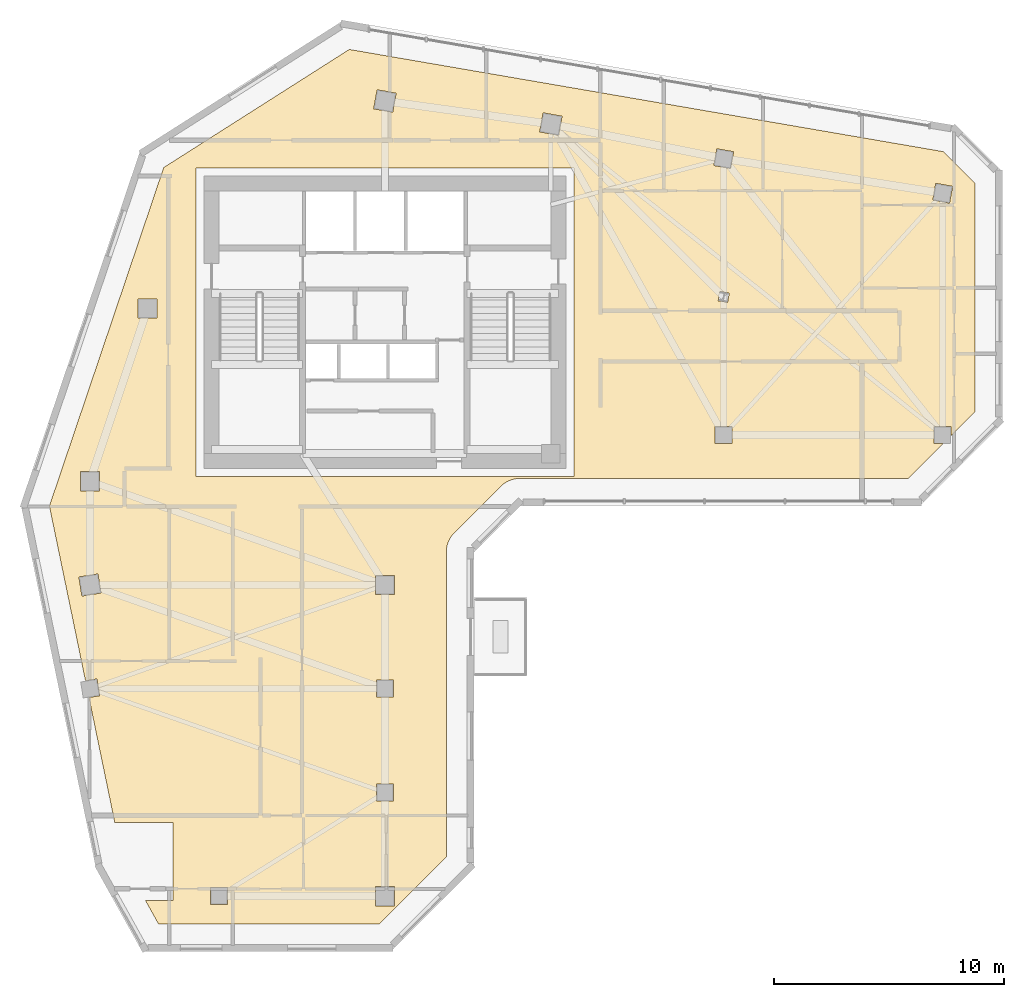
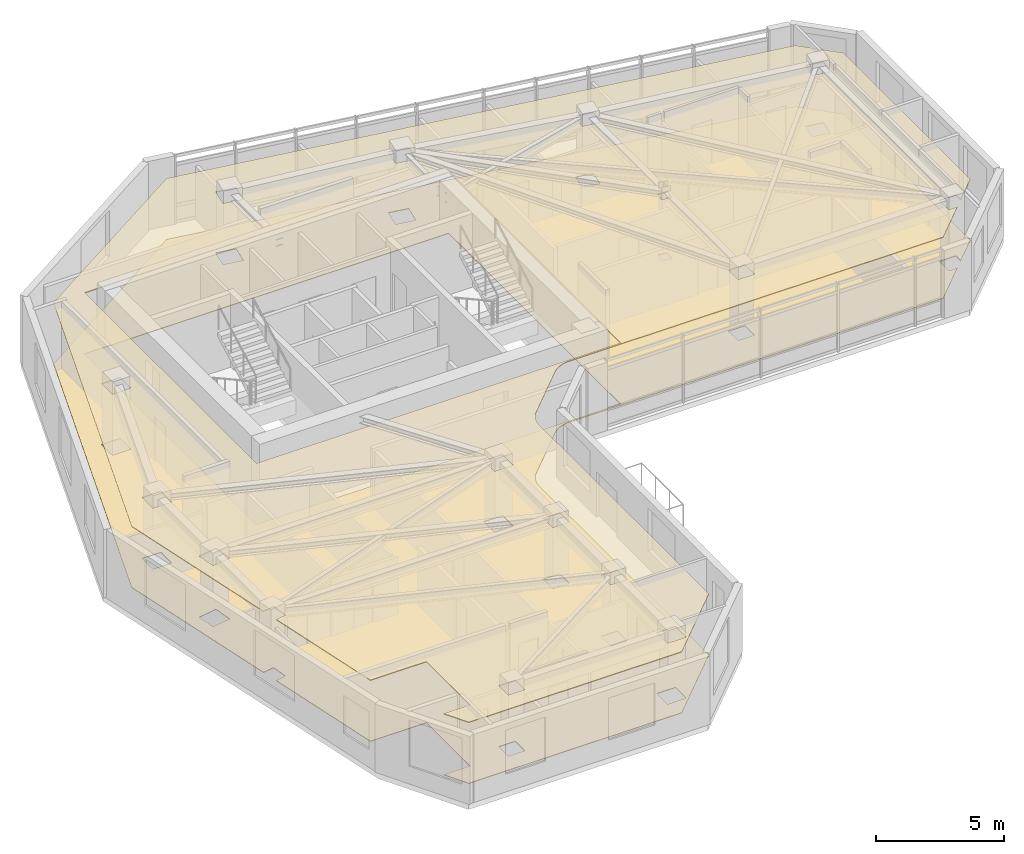
# One storey, part 9 of 10: 2 coverings.
"""IFC4 building model written with IfcOpenShell, lengths in metres."""

from ifc_helpers import new_model, si_unit, direction, frame, origin, place, context, subcontext, project, spatial, polyline, outline, extrude, material, layer, layer_set, type_object, element, save


model = new_model("IFC4")

# Units and contexts
model_context = context("Model", 3, precision=1e-05, world=origin(), true_north=direction((0.0, 1.0)))
body_context = subcontext(model_context, "Body", "Model", "MODEL_VIEW")
ifc_project = project(units=[si_unit("LENGTHUNIT", "METRE"), si_unit("AREAUNIT", "SQUARE_METRE"), si_unit("VOLUMEUNIT", "CUBIC_METRE"), si_unit("PLANEANGLEUNIT", "RADIAN"), si_unit("MASSUNIT", "GRAM", prefix="KILO")], contexts=[model_context])

# Site, building, storey
site_placement = place(None, origin())
site = spatial("IfcSite", under=ifc_project, at=site_placement, CompositionType="ELEMENT")
building_placement = place(site_placement, origin())
building = spatial("IfcBuilding", under=site, at=building_placement, Name="Calvemar Wedge Station Tower", CompositionType="ELEMENT")
storey_placement = place(building_placement, frame((0.0, 0.0, 197.39990234375)))
storey = spatial("IfcBuildingStorey", under=building, at=storey_placement, Name="L49", CompositionType="ELEMENT", Elevation=197.39990234375)

# Coverings
ifc_material_1 = material(Name="Acoustic mineral fibre ceiling board")
ifc_layer_1 = layer(ifc_material_1, 0.0400390625)
ifc_layer_set_1 = layer_set([ifc_layer_1], Name="Acoustic mineral fibre ceiling board")
covering_type_1 = type_object("IfcCoveringType", Name="COV-CEIL-ACOUSTIC", PredefinedType="CEILING", material=ifc_layer_set_1)
covering_1_placement = place(storey_placement, frame((0.0, 0.0, 2.900146484375)))
element("IfcCovering", 1, at=covering_1_placement, inside=storey, type_object=covering_type_1, Name="Storey L49 Acoustic Suspended Ceiling", PredefinedType="CEILING", context=body_context, shape_type="SweptSolid", body=[
    extrude(outline(polyline([(26.8154296875, 30.7724609375), (28.8154296875, 32.7724609375), (28.902587890625, 32.8515625), (28.997314453125, 32.921875), (29.098388671875, 32.982421875), (29.204833984375, 33.03271484375), (29.315673828125, 33.072265625), (29.429931640625, 33.100830078125), (29.54638671875, 33.1181640625), (29.6640625, 33.1240234375), (46.5029296875, 33.1240234375), (48.0087890625, 34.6298828125), (47.6298828125, 34.6298828125), (47.6298828125, 35.3701171875), (48.3701171875, 35.3701171875), (48.3701171875, 34.9912109375), (49.39990234375, 36.02099609375), (49.39990234375, 45.927001953125), (48.02099609375, 47.305908203125), (22.25341796875, 51.73876953125), (14.201416015625, 46.614990234375), (9.240966796875, 31.92431640625), (10.806884765625, 24.34375), (11.306884765625, 24.423828125), (11.423828125, 23.693115234375), (10.956787109375, 23.618408203125), (12.076171875, 18.199951171875), (14.60009765625, 18.199951171875), (14.60009765625, 14.800048828125), (13.41455078125, 14.800048828125), (13.97021484375, 13.800048828125), (23.56689453125, 13.800048828125), (26.464111328125, 16.697021484375), (26.464111328125, 29.924072265625), (26.4697265625, 30.04150390625), (26.487060546875, 30.158203125), (26.515625, 30.272216796875), (26.555419921875, 30.38330078125), (26.605712890625, 30.48974609375), (26.666259765625, 30.5908203125), (26.736328125, 30.685302734375), (26.8154296875, 30.7724609375)]), holes=[polyline([(15.60009765625, 46.60009765625), (32.0, 46.60009765625), (32.0, 33.199951171875), (15.60009765625, 33.199951171875), (15.60009765625, 46.60009765625)]), polyline([(10.580078125, 32.580078125), (10.580078125, 33.419921875), (11.419921875, 33.419921875), (11.419921875, 32.580078125), (10.580078125, 32.580078125)]), polyline([(13.080078125, 40.919921875), (13.919921875, 40.919921875), (13.919921875, 40.080078125), (13.080078125, 40.080078125), (13.080078125, 40.919921875)]), polyline([(24.28759765625, 49.839111328125), (24.138916015625, 49.01220703125), (23.312255859375, 49.160888671875), (23.4609375, 49.98779296875), (24.28759765625, 49.839111328125)]), polyline([(31.339111328125, 48.01220703125), (30.51220703125, 48.160888671875), (30.660888671875, 48.98779296875), (31.48779296875, 48.839111328125), (31.339111328125, 48.01220703125)]), polyline([(38.0703125, 46.701416015625), (38.201416015625, 47.4296875), (38.9296875, 47.298583984375), (38.798583984375, 46.5703125), (38.0703125, 46.701416015625)]), polyline([(47.701416015625, 45.9296875), (48.4296875, 45.798583984375), (48.298583984375, 45.0703125), (47.5703125, 45.201416015625), (47.701416015625, 45.9296875)]), polyline([(38.8701171875, 35.3701171875), (38.8701171875, 34.6298828125), (38.1298828125, 34.6298828125), (38.1298828125, 35.3701171875), (38.8701171875, 35.3701171875)]), polyline([(38.259765625, 40.833984375), (38.332763671875, 41.239501953125), (38.740234375, 41.166015625), (38.667236328125, 40.760498046875), (38.259765625, 40.833984375)]), polyline([(11.348388671875, 28.981201171875), (11.481201171875, 28.151611328125), (10.651611328125, 28.018798828125), (10.518798828125, 28.848388671875), (11.348388671875, 28.981201171875)]), polyline([(24.219970703125, 28.080078125), (23.3798828125, 28.080078125), (23.3798828125, 28.919921875), (24.219970703125, 28.919921875), (24.219970703125, 28.080078125)]), polyline([(23.429931640625, 23.6298828125), (23.429931640625, 24.3701171875), (24.169921875, 24.3701171875), (24.169921875, 23.6298828125), (23.429931640625, 23.6298828125)]), polyline([(23.429931640625, 19.8701171875), (24.169921875, 19.8701171875), (24.169921875, 19.1298828125), (23.429931640625, 19.1298828125), (23.429931640625, 19.8701171875)]), polyline([(24.219970703125, 15.419921875), (24.219970703125, 14.580078125), (23.3798828125, 14.580078125), (23.3798828125, 15.419921875), (24.219970703125, 15.419921875)]), polyline([(16.969970703125, 14.6298828125), (16.22998046875, 14.6298828125), (16.22998046875, 15.3701171875), (16.969970703125, 15.3701171875), (16.969970703125, 14.6298828125)])]), origin(), (0.0, 0.0, 1.0), 0.0400390625),
])
ifc_material_2 = material(Name="Honed coastal granite stone tile", Category="masonry")
ifc_layer_2 = layer(ifc_material_2, 0.030029296875)
ifc_layer_set_2 = layer_set([ifc_layer_2], Name="Honed coastal granite stone tile")
covering_type_2 = type_object("IfcCoveringType", Name="COV-FLR-STONE", PredefinedType="FLOORING", material=ifc_layer_set_2)
covering_2_placement = place(storey_placement, origin())
element("IfcCovering", 2, at=covering_2_placement, inside=storey, type_object=covering_type_2, Name="Storey L49 Architectural Floor Finish", PredefinedType="FLOORING", context=body_context, shape_type="SweptSolid", body=[
    extrude(outline(polyline([(26.8154296875, 30.7724609375), (28.8154296875, 32.7724609375), (28.902587890625, 32.8515625), (28.997314453125, 32.921875), (29.098388671875, 32.982421875), (29.204833984375, 33.03271484375), (29.315673828125, 33.072265625), (29.429931640625, 33.100830078125), (29.54638671875, 33.1181640625), (29.6640625, 33.1240234375), (46.5029296875, 33.1240234375), (48.0087890625, 34.6298828125), (47.6298828125, 34.6298828125), (47.6298828125, 35.3701171875), (48.3701171875, 35.3701171875), (48.3701171875, 34.9912109375), (49.39990234375, 36.02099609375), (49.39990234375, 45.927001953125), (48.02099609375, 47.305908203125), (22.25341796875, 51.73876953125), (14.201416015625, 46.614990234375), (9.240966796875, 31.92431640625), (10.806884765625, 24.34375), (11.306884765625, 24.423828125), (11.423828125, 23.693115234375), (10.956787109375, 23.618408203125), (12.076171875, 18.199951171875), (14.60009765625, 18.199951171875), (14.60009765625, 14.800048828125), (13.41455078125, 14.800048828125), (13.97021484375, 13.800048828125), (23.56689453125, 13.800048828125), (26.464111328125, 16.697021484375), (26.464111328125, 29.924072265625), (26.4697265625, 30.04150390625), (26.487060546875, 30.158203125), (26.515625, 30.272216796875), (26.555419921875, 30.38330078125), (26.605712890625, 30.48974609375), (26.666259765625, 30.5908203125), (26.736328125, 30.685302734375), (26.8154296875, 30.7724609375)]), holes=[polyline([(15.60009765625, 46.60009765625), (32.0, 46.60009765625), (32.0, 33.199951171875), (15.60009765625, 33.199951171875), (15.60009765625, 46.60009765625)]), polyline([(10.580078125, 32.580078125), (10.580078125, 33.419921875), (11.419921875, 33.419921875), (11.419921875, 32.580078125), (10.580078125, 32.580078125)]), polyline([(13.080078125, 40.919921875), (13.919921875, 40.919921875), (13.919921875, 40.080078125), (13.080078125, 40.080078125), (13.080078125, 40.919921875)]), polyline([(24.28759765625, 49.839111328125), (24.138916015625, 49.01220703125), (23.312255859375, 49.160888671875), (23.4609375, 49.98779296875), (24.28759765625, 49.839111328125)]), polyline([(31.339111328125, 48.01220703125), (30.51220703125, 48.160888671875), (30.660888671875, 48.98779296875), (31.48779296875, 48.839111328125), (31.339111328125, 48.01220703125)]), polyline([(38.0703125, 46.701416015625), (38.201416015625, 47.4296875), (38.9296875, 47.298583984375), (38.798583984375, 46.5703125), (38.0703125, 46.701416015625)]), polyline([(47.701416015625, 45.9296875), (48.4296875, 45.798583984375), (48.298583984375, 45.0703125), (47.5703125, 45.201416015625), (47.701416015625, 45.9296875)]), polyline([(38.8701171875, 35.3701171875), (38.8701171875, 34.6298828125), (38.1298828125, 34.6298828125), (38.1298828125, 35.3701171875), (38.8701171875, 35.3701171875)]), polyline([(38.259765625, 40.833984375), (38.332763671875, 41.239501953125), (38.740234375, 41.166015625), (38.667236328125, 40.760498046875), (38.259765625, 40.833984375)]), polyline([(11.348388671875, 28.981201171875), (11.481201171875, 28.151611328125), (10.651611328125, 28.018798828125), (10.518798828125, 28.848388671875), (11.348388671875, 28.981201171875)]), polyline([(24.219970703125, 28.080078125), (23.3798828125, 28.080078125), (23.3798828125, 28.919921875), (24.219970703125, 28.919921875), (24.219970703125, 28.080078125)]), polyline([(23.429931640625, 23.6298828125), (23.429931640625, 24.3701171875), (24.169921875, 24.3701171875), (24.169921875, 23.6298828125), (23.429931640625, 23.6298828125)]), polyline([(23.429931640625, 19.8701171875), (24.169921875, 19.8701171875), (24.169921875, 19.1298828125), (23.429931640625, 19.1298828125), (23.429931640625, 19.8701171875)]), polyline([(24.219970703125, 15.419921875), (24.219970703125, 14.580078125), (23.3798828125, 14.580078125), (23.3798828125, 15.419921875), (24.219970703125, 15.419921875)]), polyline([(16.969970703125, 14.6298828125), (16.22998046875, 14.6298828125), (16.22998046875, 15.3701171875), (16.969970703125, 15.3701171875), (16.969970703125, 14.6298828125)])]), origin(), (0.0, 0.0, 1.0), 0.030029296875),
])

save(model, "model.ifc")
